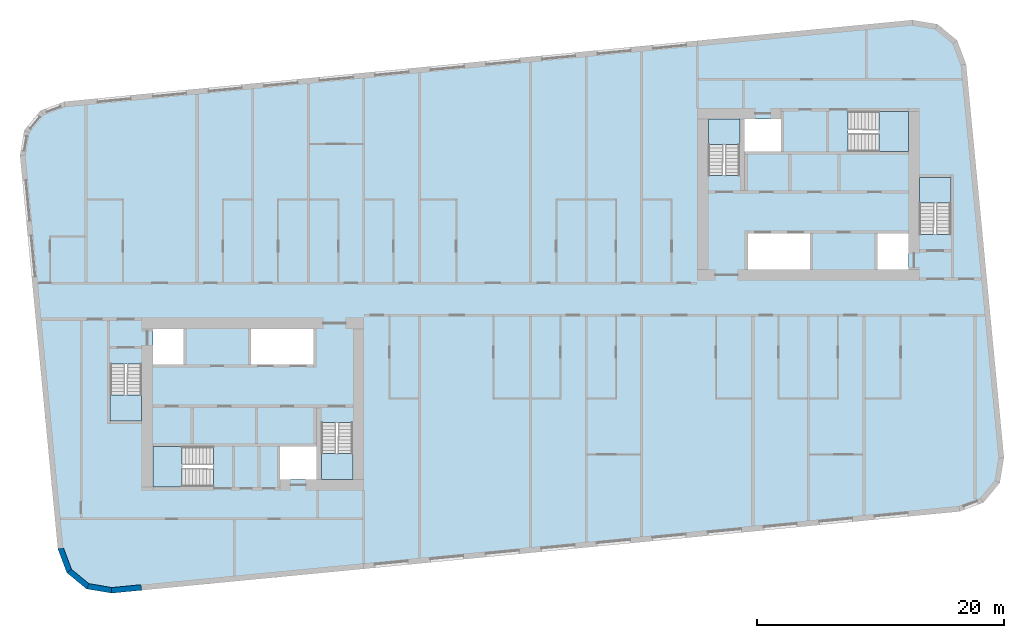
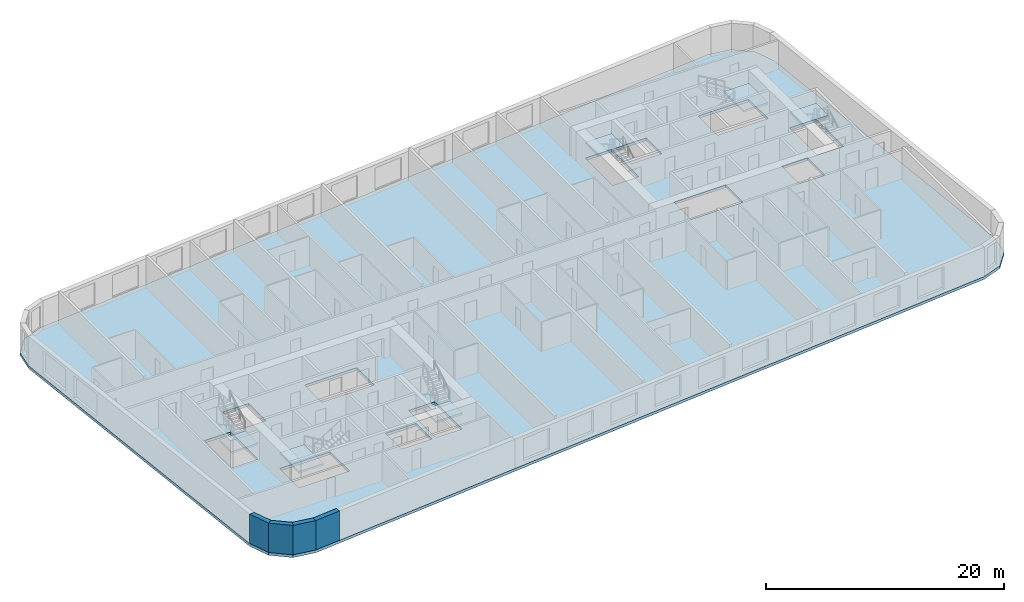
# One storey, part 1 of 12: 7 slabs, 4 walls, 6 elements without a shape of their own.
"""IFC4 building model written with IfcOpenShell, lengths in metres."""

from ifc_helpers import new_model, si_unit, direction, frame, frame_2d, origin, place, context, subcontext, project, spatial, polyline, rectangle, outline, extrude, material, layer, layer_set, type_object, element, aggregate, save


model = new_model("IFC4")

# Units and contexts
model_context = context("Model", 3, precision=1e-05, world=origin(), true_north=direction((0.0, 1.0)))
body_context = subcontext(model_context, "Body", "Model", "MODEL_VIEW")
ifc_project = project(units=[si_unit("LENGTHUNIT", "METRE"), si_unit("AREAUNIT", "SQUARE_METRE"), si_unit("VOLUMEUNIT", "CUBIC_METRE"), si_unit("PLANEANGLEUNIT", "RADIAN"), si_unit("MASSUNIT", "GRAM", prefix="KILO")], contexts=[model_context])

# Site, building, storey
site_placement = place(None, origin())
site = spatial("IfcSite", under=ifc_project, at=site_placement, CompositionType="ELEMENT")
building_placement = place(site_placement, origin())
building = spatial("IfcBuilding", under=site, at=building_placement, Name="Kajstack Hotel Tower", CompositionType="ELEMENT")
storey_placement = place(building_placement, frame((0.0, 0.0, 301.5)))
storey = spatial("IfcBuildingStorey", under=building, at=storey_placement, Name="L76", CompositionType="ELEMENT", Elevation=301.5)

# Slab
ifc_material_1 = material(Name="Concrete C40/50", Category="concrete")
ifc_layer_1 = layer(ifc_material_1, 0.280029296875)
ifc_layer_set_1 = layer_set([ifc_layer_1], Name="RC slab 280 C40/50 guest")
slab_type_1 = type_object("IfcSlabType", Name="RC slab 280 C40/50 guest", PredefinedType="FLOOR", material=ifc_layer_set_1)
slab_1_placement = place(storey_placement, frame((0.0, 0.0, -0.280029296875)))
element("IfcSlab", 1, at=slab_1_placement, inside=storey, type_object=slab_type_1, Name="S-slab-L76", PredefinedType="FLOOR", context=body_context, shape_type="SweptSolid", body=[
    extrude(outline(polyline([(-41.356201171875, 11.63623046875), (-38.289306640625, -20.21630859375), (-37.564208984375, -22.15576171875), (-35.96630859375, -23.472900390625), (-33.92431640625, -23.814697265625), (34.758056640625, -17.201171875), (36.697509765625, -16.47607421875), (38.014404296875, -14.87841796875), (38.356201171875, -12.836181640625), (35.289306640625, 19.016357421875), (34.564208984375, 20.955810546875), (32.96630859375, 22.27294921875), (30.92431640625, 22.614501953125), (-37.758056640625, 16.001220703125), (-39.697509765625, 15.276123046875), (-41.014404296875, 13.678466796875), (-41.356201171875, 11.63623046875)]), holes=[polyline([(-22.64990234375, -5.300048828125), (-22.64990234375, -2.39990234375), (-17.60009765625, -2.39990234375), (-17.60009765625, -5.300048828125), (-22.64990234375, -5.300048828125)]), polyline([(-20.300048828125, -14.60009765625), (-17.35009765625, -14.60009765625), (-17.35009765625, -11.949951171875), (-20.300048828125, -11.949951171875), (-20.300048828125, -14.60009765625)]), polyline([(-30.60009765625, -5.300048828125), (-28.10009765625, -5.300048828125), (-28.10009765625, -2.39990234375), (-30.60009765625, -2.39990234375), (-30.60009765625, -5.300048828125)]), polyline([(17.60009765625, 2.39990234375), (17.60009765625, 5.300048828125), (22.64990234375, 5.300048828125), (22.64990234375, 2.39990234375), (17.60009765625, 2.39990234375)]), polyline([(20.300048828125, 14.60009765625), (17.35009765625, 14.60009765625), (17.35009765625, 11.949951171875), (20.300048828125, 11.949951171875), (20.300048828125, 14.60009765625)]), polyline([(30.60009765625, 5.300048828125), (28.10009765625, 5.300048828125), (28.10009765625, 2.39990234375), (30.60009765625, 2.39990234375), (30.60009765625, 5.300048828125)]), polyline([(-34.050048828125, -9.85009765625), (-31.5, -9.85009765625), (-31.5, -5.25), (-34.050048828125, -5.25), (-34.050048828125, -9.85009765625)]), polyline([(-16.949951171875, -14.60009765625), (-14.39990234375, -14.60009765625), (-14.39990234375, -10.0), (-16.949951171875, -10.0), (-16.949951171875, -14.60009765625)]), polyline([(-30.60009765625, -15.199951171875), (-25.699951171875, -15.199951171875), (-25.699951171875, -11.949951171875), (-30.60009765625, -11.949951171875), (-30.60009765625, -15.199951171875)]), polyline([(34.050048828125, 9.85009765625), (31.5, 9.85009765625), (31.5, 5.25), (34.050048828125, 5.25), (34.050048828125, 9.85009765625)]), polyline([(16.949951171875, 14.60009765625), (14.39990234375, 14.60009765625), (14.39990234375, 10.0), (16.949951171875, 10.0), (16.949951171875, 14.60009765625)]), polyline([(30.60009765625, 15.199951171875), (25.699951171875, 15.199951171875), (25.699951171875, 11.949951171875), (30.60009765625, 11.949951171875), (30.60009765625, 15.199951171875)])]), origin(), (0.0, 0.0, 1.0), 0.280029296875),
])

# Stair, slab
stair_type_1 = type_object("IfcStairType", Name="Exit stair 1200", PredefinedType="HALF_TURN_STAIR", material=ifc_material_1)
stair_1_placement = place(storey_placement, origin())
stair_1 = element("IfcStair", 2, at=stair_1_placement, inside=storey, type_object=stair_type_1, Name="L76 stair W1", PredefinedType="HALF_TURN_STAIR")
ifc_layer_2 = layer(ifc_material_1, 0.199951171875)
ifc_layer_set_2 = layer_set([ifc_layer_2], Name="Stair landing 200")
slab_type_2 = type_object("IfcSlabType", Name="Stair landing 200", PredefinedType="LANDING", material=ifc_layer_set_2)
slab_2_placement = place(storey_placement, frame((0.0, 0.0, 1.449951171875)))
slab_2 = element("IfcSlab", 3, at=slab_2_placement, type_object=slab_type_2, Name="W1 landing 1", PredefinedType="LANDING", context=body_context, shape_type="SweptSolid", body=[
    extrude(outline(polyline([(-34.050048828125, -7.77001953125), (-34.050048828125, -9.85009765625), (-31.5, -9.85009765625), (-31.5, -7.77001953125), (-34.050048828125, -7.77001953125)])), origin(), (0.0, 0.0, 1.0), 0.199951171875),
])
aggregate(stair_1, [slab_2])

stair_2_placement = place(storey_placement, origin())
stair_2 = element("IfcStair", 4, at=stair_2_placement, inside=storey, type_object=stair_type_1, Name="L76 stair W2", PredefinedType="HALF_TURN_STAIR")
slab_3_placement = place(storey_placement, frame((0.0, 0.0, 1.449951171875)))
slab_3 = element("IfcSlab", 5, at=slab_3_placement, type_object=slab_type_2, Name="W2 landing 1", PredefinedType="LANDING", context=body_context, shape_type="SweptSolid", body=[
    extrude(outline(polyline([(-16.949951171875, -12.52001953125), (-16.949951171875, -14.60009765625), (-14.39990234375, -14.60009765625), (-14.39990234375, -12.52001953125), (-16.949951171875, -12.52001953125)])), origin(), (0.0, 0.0, 1.0), 0.199951171875),
])
aggregate(stair_2, [slab_3])

stair_type_2 = type_object("IfcStairType", Name="Exit stair 1500", PredefinedType="HALF_TURN_STAIR", material=ifc_material_1)
stair_3_placement = place(storey_placement, origin())
stair_3 = element("IfcStair", 6, at=stair_3_placement, inside=storey, type_object=stair_type_2, Name="L76 stair W3", PredefinedType="HALF_TURN_STAIR")
slab_4_placement = place(storey_placement, frame((0.0, 0.0, 1.449951171875)))
slab_4 = element("IfcSlab", 7, at=slab_4_placement, type_object=slab_type_2, Name="W3 landing 1", PredefinedType="LANDING", context=body_context, shape_type="SweptSolid", body=[
    extrude(outline(polyline([(-28.219970703125, -11.949951171875), (-30.60009765625, -11.949951171875), (-30.60009765625, -15.199951171875), (-28.219970703125, -15.199951171875), (-28.219970703125, -11.949951171875)])), origin(), (0.0, 0.0, 1.0), 0.199951171875),
])
aggregate(stair_3, [slab_4])

stair_4_placement = place(storey_placement, origin())
stair_4 = element("IfcStair", 8, at=stair_4_placement, inside=storey, type_object=stair_type_1, Name="L76 stair E1", PredefinedType="HALF_TURN_STAIR")
slab_5_placement = place(storey_placement, frame((0.0, 0.0, 1.449951171875)))
slab_5 = element("IfcSlab", 9, at=slab_5_placement, type_object=slab_type_2, Name="E1 landing 1", PredefinedType="LANDING", context=body_context, shape_type="SweptSolid", body=[
    extrude(outline(polyline([(34.050048828125, 7.77001953125), (34.050048828125, 9.85009765625), (31.5, 9.85009765625), (31.5, 7.77001953125), (34.050048828125, 7.77001953125)])), origin(), (0.0, 0.0, 1.0), 0.199951171875),
])
aggregate(stair_4, [slab_5])

stair_5_placement = place(storey_placement, origin())
stair_5 = element("IfcStair", 10, at=stair_5_placement, inside=storey, type_object=stair_type_1, Name="L76 stair E2", PredefinedType="HALF_TURN_STAIR")
slab_6_placement = place(storey_placement, frame((0.0, 0.0, 1.449951171875)))
slab_6 = element("IfcSlab", 11, at=slab_6_placement, type_object=slab_type_2, Name="E2 landing 1", PredefinedType="LANDING", context=body_context, shape_type="SweptSolid", body=[
    extrude(outline(polyline([(16.949951171875, 12.52001953125), (16.949951171875, 14.60009765625), (14.39990234375, 14.60009765625), (14.39990234375, 12.52001953125), (16.949951171875, 12.52001953125)])), origin(), (0.0, 0.0, 1.0), 0.199951171875),
])
aggregate(stair_5, [slab_6])

stair_6_placement = place(storey_placement, origin())
stair_6 = element("IfcStair", 12, at=stair_6_placement, inside=storey, type_object=stair_type_2, Name="L76 stair E3", PredefinedType="HALF_TURN_STAIR")
slab_7_placement = place(storey_placement, frame((0.0, 0.0, 1.449951171875)))
slab_7 = element("IfcSlab", 13, at=slab_7_placement, type_object=slab_type_2, Name="E3 landing 1", PredefinedType="LANDING", context=body_context, shape_type="SweptSolid", body=[
    extrude(outline(polyline([(28.219970703125, 11.949951171875), (30.60009765625, 11.949951171875), (30.60009765625, 15.199951171875), (28.219970703125, 15.199951171875), (28.219970703125, 11.949951171875)])), origin(), (0.0, 0.0, 1.0), 0.199951171875),
])
aggregate(stair_6, [slab_7])

# Walls
ifc_material_2 = material(Name="Terracotta-faced brick masonry", Category="masonry")
ifc_layer_3 = layer(ifc_material_2, 0.449951171875)
ifc_layer_set_3 = layer_set([ifc_layer_3], Name="EW-TERRA")
wall_type = type_object("IfcWallType", Name="EW-TERRA", PredefinedType="SOLIDWALL", material=ifc_layer_set_3)
wall_1_placement = place(storey_placement, frame((-38.078369140625, -20.1376953125, 0.0), z_axis=(0.0, 0.0, 1.0), x_axis=(0.350231589928, -0.936663137642, 0.0)))
element("IfcWall", 14, at=wall_1_placement, inside=storey, type_object=wall_type, Name="E-wall-L76-01-00", PredefinedType="SOLIDWALL", context=body_context, shape_type="SweptSolid", body=[
    extrude(outline(polyline([(0.0, -0.22509765625), (2.0703125, -0.22509765625), (1.949951171875, 0.224853515625), (0.120361328125, 0.224853515625), (0.0, -0.22509765625)])), origin(), (0.0, 0.0, 1.0), 3.02001953125),
])
wall_2_placement = place(storey_placement, frame((-37.4208984375, -21.982177734375, 0.0), z_axis=(0.0, 0.0, 1.0), x_axis=(0.771593176315, -0.636116318187, 0.0)))
element("IfcWall", 15, at=wall_2_placement, inside=storey, type_object=wall_type, Name="E-wall-L76-02-00", PredefinedType="SOLIDWALL", context=body_context, shape_type="SweptSolid", body=[
    extrude(outline(polyline([(0.0, -0.22509765625), (2.070556640625, -0.22509765625), (1.949951171875, 0.22509765625), (0.12060546875, 0.224853515625), (0.0, -0.22509765625)])), origin(), (0.0, 0.0, 1.0), 3.02001953125),
])
wall_3_placement = place(storey_placement, frame((-35.92919921875, -23.2509765625, 0.0), z_axis=(0.0, 0.0, 1.0), x_axis=(0.986278951104, -0.165087342366, 0.0)))
element("IfcWall", 16, at=wall_3_placement, inside=storey, type_object=wall_type, Name="E-wall-L76-03-00", PredefinedType="SOLIDWALL", context=body_context, shape_type="SweptSolid", body=[
    extrude(outline(polyline([(0.0, -0.22509765625), (2.070556640625, -0.224853515625), (1.949951171875, 0.22509765625), (0.12060546875, 0.22509765625), (0.0, -0.22509765625)])), origin(), (0.0, 0.0, 1.0), 3.02001953125),
])
wall_4_placement = place(storey_placement, frame((-33.94580078125, -23.590576171875, 0.0), z_axis=(0.0, 0.0, 1.0), x_axis=(0.995397635156, 0.095830829729, 0.0)))
element("IfcWall", 17, at=wall_4_placement, inside=storey, type_object=wall_type, Name="E-wall-L76-04-00", PredefinedType="SOLIDWALL", context=body_context, shape_type="SweptSolid", body=[
    extrude(rectangle(XDim=2.435546875, YDim=0.449951171875, at=frame_2d((1.2177734375, 0.0))), origin(), (0.0, 0.0, 1.0), 3.02001953125),
])

save(model, "model.ifc")
